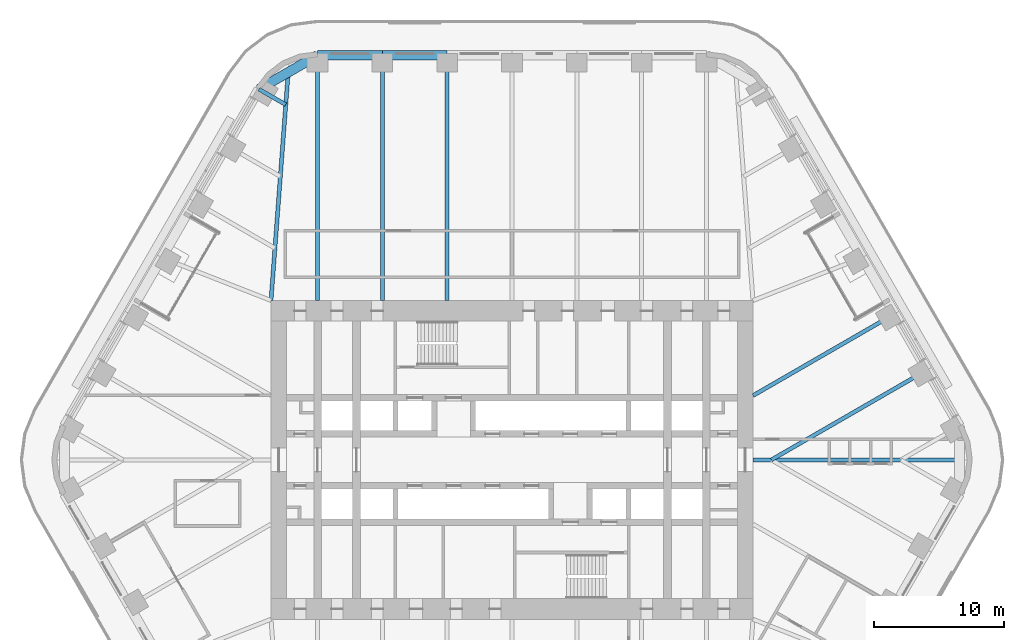
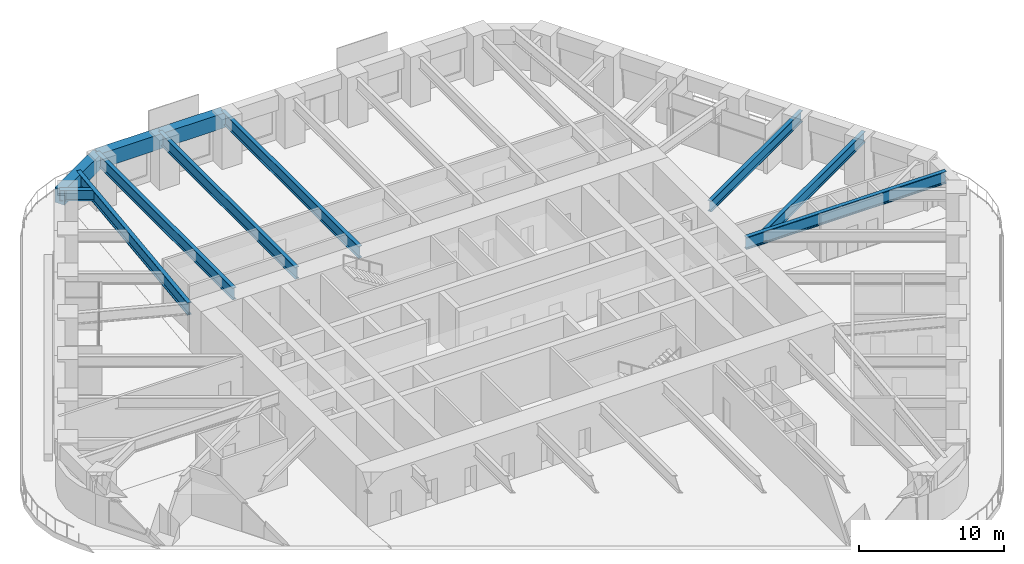
# One storey, part 10 of 24: 11 beams.
"""IFC4 building model written with IfcOpenShell, lengths in metres."""

from ifc_helpers import new_model, si_unit, direction, frame, origin, origin_2d, place, context, subcontext, project, spatial, rectangle, i_section, extrude, material, material_profile, profile_set, type_object, element, save


model = new_model("IFC4")

# Units and contexts
model_context = context("Model", 3, precision=1e-05, world=origin(), true_north=direction((0.0, 1.0)))
body_context = subcontext(model_context, "Body", "Model", "MODEL_VIEW")
ifc_project = project(units=[si_unit("LENGTHUNIT", "METRE"), si_unit("AREAUNIT", "SQUARE_METRE"), si_unit("VOLUMEUNIT", "CUBIC_METRE"), si_unit("PLANEANGLEUNIT", "RADIAN"), si_unit("MASSUNIT", "GRAM", prefix="KILO")], contexts=[model_context])

# Site, building, storey
site_placement = place(None, origin())
site = spatial("IfcSite", under=ifc_project, at=site_placement, CompositionType="ELEMENT")
building_placement = place(site_placement, origin())
building = spatial("IfcBuilding", under=site, at=building_placement, Name="Tarfa Lantern Tower", CompositionType="ELEMENT")
storey_placement = place(building_placement, frame((0.0, 0.0, 165.699951171875)))
storey = spatial("IfcBuildingStorey", under=building, at=storey_placement, Name="L37", CompositionType="ELEMENT", Elevation=165.699951171875)

# Beams
ifc_material_1 = material(Name="Concrete C80/95", Category="concrete")
ifc_material_profile_1 = material_profile(ifc_material_1, rectangle(XDim=0.75, YDim=1.25, at=origin_2d()), Name="RC 750x1250")
ifc_profile_set_1 = profile_set([ifc_material_profile_1], Name="Concrete C80/95")
beam_type_1 = type_object("IfcBeamType", Name="EB2 RC 750x1250", PredefinedType="SPANDREL", material=ifc_profile_set_1)
for number, where, z_axis, x_axis, name in (
    (1, (-5.003662109375, 31.219970703125, 3.375), (-1.0, 0.0, 0.0), (0.0, -1.0, 0.0), "Edge beam N4"),
    (2, (-10.00732421875, 31.219970703125, 3.375), (-1.0, 0.0, 0.0), (0.0, -1.0, 0.0), "Edge beam N5"),
):
    element("IfcBeam", number, at=place(storey_placement, frame(where, z_axis=z_axis, x_axis=x_axis)), inside=storey, type_object=beam_type_1, Name=name, PredefinedType="SPANDREL", context=body_context, shape_type="SweptSolid", body=[
        extrude(rectangle(XDim=0.75, YDim=1.25, at=origin_2d()), origin(), (0.0, 0.0, 1.0), 5.003662109375),
    ])
beam_1_placement = place(storey_placement, frame((-15.010986328125, 31.219970703125, 3.375), z_axis=(-0.86604150238, -0.499972115377, 0.0), x_axis=(0.499972115377, -0.86604150238, 0.0)))
element("IfcBeam", 3, at=beam_1_placement, inside=storey, type_object=beam_type_1, Name="Edge beam N6", PredefinedType="SPANDREL", context=body_context, shape_type="SweptSolid", body=[
    extrude(rectangle(XDim=0.75, YDim=1.25, at=origin_2d()), origin(), (0.0, 0.0, 1.0), 5.219970703125),
])
ifc_material_2 = material(Name="Steel S460M", Category="steel")
ifc_material_profile_2 = material_profile(ifc_material_2, i_section(OverallWidth=0.302001953125, OverallDepth=1.008056640625, WebThickness=0.02099609375, FlangeThickness=0.0400390625, FilletRadius=0.030029296875, at=origin_2d()), Name="UB1016x305x349")
ifc_profile_set_2 = profile_set([ifc_material_profile_2], Name="Steel S460M")
beam_type_2 = type_object("IfcBeamType", Name="UB1016x305x349", PredefinedType="BEAM", material=ifc_profile_set_2)
for number, where, z_axis, x_axis, name in (
    (4, (-5.003662109375, 31.219970703125, 3.49609375), (0.0, -1.0, 0.0), (1.0, 0.0, 0.0), "Floor beam N4"),
    (5, (-10.00732421875, 31.219970703125, 3.49609375), (0.0, -1.0, 0.0), (1.0, 0.0, 0.0), "Floor beam N5"),
    (6, (-15.010986328125, 31.219970703125, 3.49609375), (0.0, -1.0, 0.0), (1.0, 0.0, 0.0), "Floor beam N6"),
):
    element("IfcBeam", number, at=place(storey_placement, frame(where, z_axis=z_axis, x_axis=x_axis)), inside=storey, type_object=beam_type_2, Name=name, PredefinedType="BEAM", context=body_context, shape_type="SweptSolid", body=[
        extrude(i_section(OverallWidth=0.302001953125, OverallDepth=1.008056640625, WebThickness=0.02099609375, FlangeThickness=0.0400390625, FilletRadius=0.030029296875, at=origin_2d()), origin(), (0.0, 0.0, 1.0), 18.919921875),
    ])
ifc_material_profile_3 = material_profile(ifc_material_2, i_section(OverallWidth=0.30859375, OverallDepth=1.036376953125, WebThickness=0.030029296875, FlangeThickness=0.05419921875, FilletRadius=0.030029296875, at=origin_2d()), Name="UB1016x305x487")
ifc_profile_set_3 = profile_set([ifc_material_profile_3], Name="Steel S460M")
beam_type_3 = type_object("IfcBeamType", Name="UB1016x305x487", PredefinedType="BEAM", material=ifc_profile_set_3)
beam_2_placement = place(storey_placement, frame((18.60009765625, 0.0, 3.48193359375), z_axis=(1.0, 0.0, 0.0), x_axis=(0.0, 1.0, 0.0)))
element("IfcBeam", 7, at=beam_2_placement, inside=storey, type_object=beam_type_3, Name="Hip girder E", PredefinedType="BEAM", context=body_context, shape_type="SweptSolid", body=[
    extrude(i_section(OverallWidth=0.30859375, OverallDepth=1.036376953125, WebThickness=0.030029296875, FlangeThickness=0.05419921875, FilletRadius=0.030029296875, at=origin_2d()), origin(), (0.0, 0.0, 1.0), 15.94287109375),
])
beam_3_placement = place(storey_placement, frame((-18.60009765625, 12.300048828125, 3.48193359375), z_axis=(0.075211516041, 0.99716760269, 0.0), x_axis=(-0.99716760269, 0.075211516041, 0.0)))
element("IfcBeam", 8, at=beam_3_placement, inside=storey, type_object=beam_type_3, Name="Hip girder NW", PredefinedType="BEAM", context=body_context, shape_type="SweptSolid", body=[
    extrude(i_section(OverallWidth=0.30859375, OverallDepth=1.036376953125, WebThickness=0.030029296875, FlangeThickness=0.05419921875, FilletRadius=0.030029296875, at=origin_2d()), origin(), (0.0, 0.0, 1.0), 17.6650390625),
])
ifc_material_profile_4 = material_profile(ifc_material_2, i_section(OverallWidth=0.305419921875, OverallDepth=0.91845703125, WebThickness=0.017333984375, FlangeThickness=0.02783203125, FilletRadius=0.01904296875, at=origin_2d()), Name="UB914x305x253")
ifc_profile_set_4 = profile_set([ifc_material_profile_4], Name="Steel S460M")
beam_type_4 = type_object("IfcBeamType", Name="UB914x305x253", PredefinedType="BEAM", material=ifc_profile_set_4)
beam_4_placement = place(storey_placement, frame((32.041015625, 6.943359375, 3.540771484375), z_axis=(-0.866023096411, -0.500003996466, 0.0), x_axis=(0.500003996466, -0.866023096411, 0.0)))
element("IfcBeam", 9, at=beam_4_placement, inside=storey, type_object=beam_type_4, Name="Floor beam NE1", PredefinedType="BEAM", context=body_context, shape_type="SweptSolid", body=[
    extrude(i_section(OverallWidth=0.305419921875, OverallDepth=0.91845703125, WebThickness=0.017333984375, FlangeThickness=0.02783203125, FilletRadius=0.01904296875, at=origin_2d()), origin(), (0.0, 0.0, 1.0), 13.88671875),
])
beam_5_placement = place(storey_placement, frame((29.5390625, 11.276611328125, 3.540771484375), z_axis=(-0.866023362995, -0.500003534735, 0.0), x_axis=(0.500003534735, -0.866023362995, 0.0)))
element("IfcBeam", 10, at=beam_5_placement, inside=storey, type_object=beam_type_4, Name="Floor beam NE2", PredefinedType="BEAM", context=body_context, shape_type="SweptSolid", body=[
    extrude(i_section(OverallWidth=0.305419921875, OverallDepth=0.91845703125, WebThickness=0.017333984375, FlangeThickness=0.02783203125, FilletRadius=0.01904296875, at=origin_2d()), origin(), (0.0, 0.0, 1.0), 12.63134765625),
])
beam_6_placement = place(storey_placement, frame((-19.53173828125, 28.610107421875, 3.540771484375), z_axis=(0.865998640954, -0.500046351717, 0.0), x_axis=(0.500046351717, 0.865998640954, 0.0)))
element("IfcBeam", 11, at=beam_6_placement, inside=storey, type_object=beam_type_4, Name="Floor beam NW0", PredefinedType="BEAM", context=body_context, shape_type="SweptSolid", body=[
    extrude(i_section(OverallWidth=0.305419921875, OverallDepth=0.91845703125, WebThickness=0.017333984375, FlangeThickness=0.02783203125, FilletRadius=0.01904296875, at=origin_2d()), origin(), (0.0, 0.0, 1.0), 2.392333984375),
])

save(model, "model.ifc")
